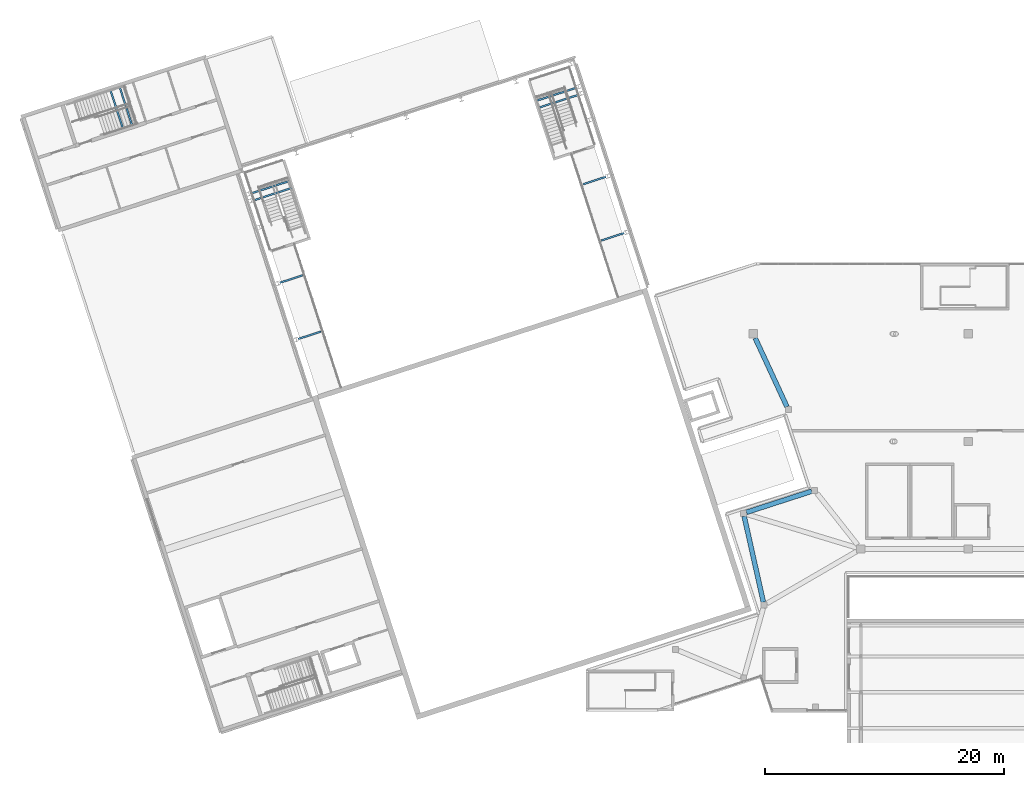
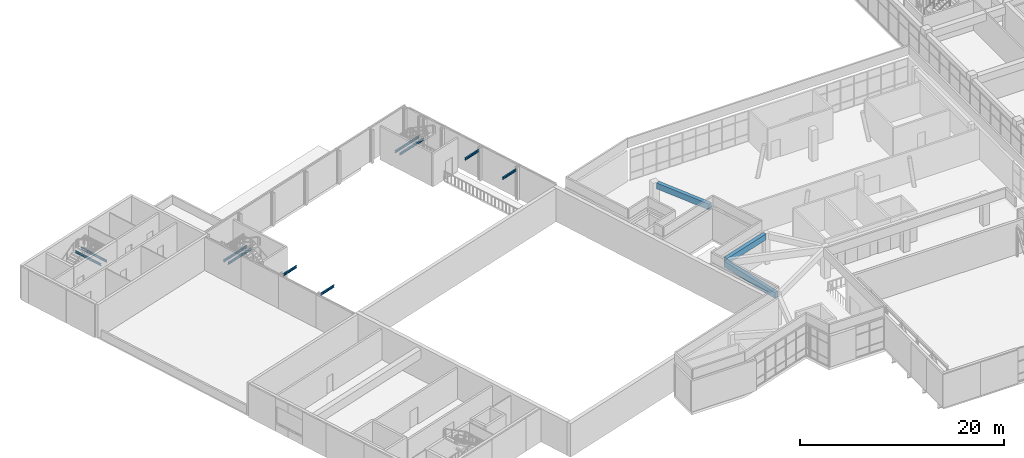
# One storey, part 7 of 72: 13 beams.
"""IFC4 building model written with IfcOpenShell, lengths in metres."""

from ifc_helpers import new_model, si_unit, direction, frame, origin, origin_2d, place, context, subcontext, project, spatial, rectangle, i_section, extrude, material, material_profile, profile_set, type_object, element, save


model = new_model("IFC4")

# Units and contexts
model_context = context("Model", 3, precision=1e-05, world=origin(), true_north=direction((0.0, 1.0)))
body_context = subcontext(model_context, "Body", "Model", "MODEL_VIEW")
ifc_project = project(units=[si_unit("LENGTHUNIT", "METRE"), si_unit("AREAUNIT", "SQUARE_METRE"), si_unit("VOLUMEUNIT", "CUBIC_METRE"), si_unit("PLANEANGLEUNIT", "RADIAN"), si_unit("MASSUNIT", "GRAM", prefix="KILO")], contexts=[model_context])

# Site, building, storey
site_placement = place(None, origin())
site = spatial("IfcSite", under=ifc_project, at=site_placement, CompositionType="ELEMENT")
building_placement = place(site_placement, origin())
building = spatial("IfcBuilding", under=site, at=building_placement, Name="Tuart Plaza Theatre", CompositionType="ELEMENT")
storey_placement = place(building_placement, frame((0.0, 0.0, 13.5)))
storey = spatial("IfcBuildingStorey", under=building, at=storey_placement, Name="L03", CompositionType="ELEMENT", Elevation=13.5)

# Beams
ifc_material_1 = material(Name="Steel Grade 300", Category="steel")
ifc_material_profile_1 = material_profile(ifc_material_1, i_section(OverallWidth=0.14599609375, OverallDepth=0.256103515625, WebThickness=0.00634765625, FlangeThickness=0.010986328125, FilletRadius=0.0087890625, at=origin_2d()), Name="250UB37.3")
ifc_profile_set_1 = profile_set([ifc_material_profile_1], Name="Steel Grade 300")
beam_type_1 = type_object("IfcBeamType", Name="BEAM 250UB37.3", PredefinedType="BEAM", material=ifc_profile_set_1)
for number, where, z_axis, x_axis, name in (
    (1, (25.230224609375, 91.203857421875, 1.672119140625), (-0.308980533303, 0.951068362443, 0.0), (-0.951068362443, -0.308980533303, 0.0), "SB23"),
    (2, (26.00537109375, 91.455810546875, 1.672119140625), (-0.308980533303, 0.951068362443, 0.0), (-0.951068362443, -0.308980533303, 0.0), "SB24"),
):
    element("IfcBeam", number, at=place(storey_placement, frame(where, z_axis=z_axis, x_axis=x_axis)), inside=storey, type_object=beam_type_1, Name=name, PredefinedType="BEAM", context=body_context, shape_type="SweptSolid", body=[
        extrude(i_section(OverallWidth=0.14599609375, OverallDepth=0.256103515625, WebThickness=0.00634765625, FlangeThickness=0.010986328125, FilletRadius=0.0087890625, at=origin_2d()), origin(), (0.0, 0.0, 1.0), 3.39990234375),
    ])
for number, where, z_axis, x_axis, name in (
    (3, (39.3662109375, 86.215576171875, 1.672119140625), (-0.951044110681, -0.309055172321, 0.0), (0.309055172321, -0.951044110681, 0.0), "SB35"),
    (4, (39.176025390625, 86.800537109375, 1.672119140625), (-0.951044110681, -0.309055172321, 0.0), (0.309055172321, -0.951044110681, 0.0), "SB36"),
):
    element("IfcBeam", number, at=place(storey_placement, frame(where, z_axis=z_axis, x_axis=x_axis)), inside=storey, type_object=beam_type_1, Name=name, PredefinedType="BEAM", context=body_context, shape_type="SweptSolid", body=[
        extrude(i_section(OverallWidth=0.14599609375, OverallDepth=0.256103515625, WebThickness=0.00634765625, FlangeThickness=0.010986328125, FilletRadius=0.0087890625, at=origin_2d()), origin(), (0.0, 0.0, 1.0), 3.39453125),
    ])
beam_1_placement = place(storey_placement, frame((59.861572265625, 93.521484375, 1.672119140625), z_axis=(0.951046215796, 0.309048694255, 0.0), x_axis=(-0.309048694255, 0.951046215796, 0.0)))
element("IfcBeam", 5, at=beam_1_placement, inside=storey, type_object=beam_type_1, Name="SB47", PredefinedType="BEAM", context=body_context, shape_type="SweptSolid", body=[
    extrude(i_section(OverallWidth=0.14599609375, OverallDepth=0.256103515625, WebThickness=0.00634765625, FlangeThickness=0.010986328125, FilletRadius=0.0087890625, at=origin_2d()), origin(), (0.0, 0.0, 1.0), 3.544677734375),
])
beam_2_placement = place(storey_placement, frame((60.0517578125, 92.936767578125, 1.672119140625), z_axis=(0.951059881727, 0.309006636447, 0.0), x_axis=(-0.309006636447, 0.951059881727, 0.0)))
element("IfcBeam", 6, at=beam_2_placement, inside=storey, type_object=beam_type_1, Name="SB48", PredefinedType="BEAM", context=body_context, shape_type="SweptSolid", body=[
    extrude(i_section(OverallWidth=0.14599609375, OverallDepth=0.256103515625, WebThickness=0.00634765625, FlangeThickness=0.010986328125, FilletRadius=0.0087890625, at=origin_2d()), origin(), (0.0, 0.0, 1.0), 3.544189453125),
])
for number, where, z_axis, x_axis, name in (
    (7, (39.904052734375, 73.57568359375, 3.672119140625), (0.951072636193, 0.308967378027, 0.0), (-0.308967378027, 0.951072636193, 0.0), "SB91"),
    (8, (38.374267578125, 78.283203125, 3.672119140625), (0.951036759863, 0.309077791808, 0.0), (-0.309077791808, 0.951036759863, 0.0), "SB92"),
    (9, (67.188720703125, 82.44091796875, 3.672119140625), (-0.951072636193, -0.308967378027, 0.0), (0.308967378027, -0.951072636193, 0.0), "SB93"),
    (10, (65.6591796875, 87.148681640625, 3.672119140625), (-0.951072636193, -0.308967378027, 0.0), (0.308967378027, -0.951072636193, 0.0), "SB94"),
):
    element("IfcBeam", number, at=place(storey_placement, frame(where, z_axis=z_axis, x_axis=x_axis)), inside=storey, type_object=beam_type_1, Name=name, PredefinedType="BEAM", context=body_context, shape_type="SweptSolid", body=[
        extrude(i_section(OverallWidth=0.14599609375, OverallDepth=0.256103515625, WebThickness=0.00634765625, FlangeThickness=0.010986328125, FilletRadius=0.0087890625, at=origin_2d()), origin(), (0.0, 0.0, 1.0), 2.0),
    ])
ifc_material_2 = material(Name="Concrete N40 (40 MPa)", Category="concrete")
ifc_material_profile_2 = material_profile(ifc_material_2, rectangle(XDim=0.39990234375, YDim=0.699951171875, at=origin_2d()), Name="BEAM 400x700 Concrete N40 (40 MPa)")
ifc_profile_set_2 = profile_set([ifc_material_profile_2], Name="Concrete N40 (40 MPa)")
beam_type_2 = type_object("IfcBeamType", Name="BEAM 400x700 Concrete N40 (40 MPa)", PredefinedType="BEAM", material=ifc_profile_set_2)
beam_3_placement = place(storey_placement, frame((78.161865234375, 73.64990234375, 3.35009765625), z_axis=(0.419496397919, -0.907757000597, 0.0), x_axis=(0.907757000597, 0.419496397919, 0.0)))
element("IfcBeam", 11, at=beam_3_placement, inside=storey, type_object=beam_type_2, Name="RB485", PredefinedType="BEAM", context=body_context, shape_type="SweptSolid", body=[
    extrude(rectangle(XDim=0.39990234375, YDim=0.699951171875, at=origin_2d()), origin(), (0.0, 0.0, 1.0), 6.3232421875),
])
beam_4_placement = place(storey_placement, frame((78.843994140625, 51.550048828125, 3.35009765625), z_axis=(-0.218187204822, 0.975906933909, 0.0), x_axis=(-0.975906933909, -0.218187204822, 0.0)))
element("IfcBeam", 12, at=beam_4_placement, inside=storey, type_object=beam_type_2, Name="RB494", PredefinedType="BEAM", context=body_context, shape_type="SweptSolid", body=[
    extrude(rectangle(XDim=0.39990234375, YDim=0.699951171875, at=origin_2d()), origin(), (0.0, 0.0, 1.0), 7.36279296875),
])
beam_5_placement = place(storey_placement, frame((77.431640625, 59.06640625, 3.35009765625), z_axis=(0.951443049522, 0.307824826024, 0.0), x_axis=(-0.307824826024, 0.951443049522, 0.0)))
element("IfcBeam", 13, at=beam_5_placement, inside=storey, type_object=beam_type_2, Name="RB495", PredefinedType="BEAM", context=body_context, shape_type="SweptSolid", body=[
    extrude(rectangle(XDim=0.39990234375, YDim=0.699951171875, at=origin_2d()), origin(), (0.0, 0.0, 1.0), 5.726318359375),
])

save(model, "model.ifc")
